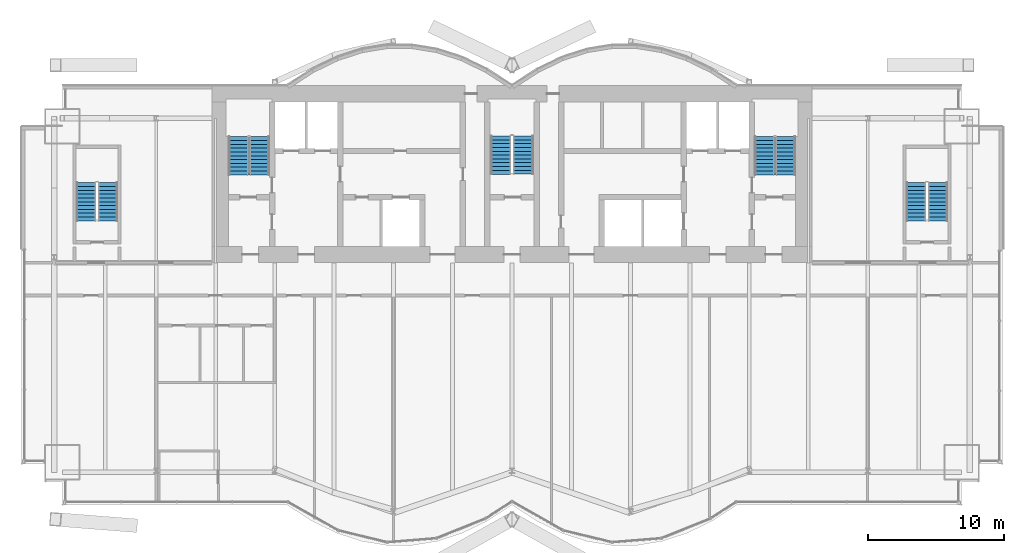
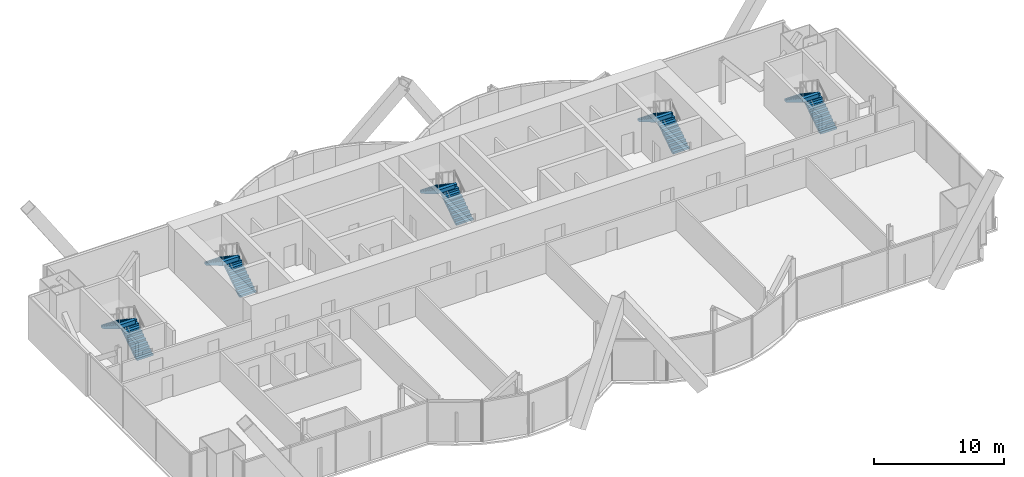
# One storey, part 17 of 20: 10 stair flights, 5 elements without a shape of their own.
"""IFC4 building model written with IfcOpenShell, lengths in metres."""

from ifc_helpers import new_model, si_unit, direction, frame, origin, place, context, subcontext, project, spatial, polyline, outline, extrude, material, type_object, element, aggregate, save


model = new_model("IFC4")

# Units and contexts
model_context = context("Model", 3, precision=1e-05, world=origin(), true_north=direction((0.0, 1.0)))
body_context = subcontext(model_context, "Body", "Model", "MODEL_VIEW")
ifc_project = project(units=[si_unit("LENGTHUNIT", "METRE"), si_unit("AREAUNIT", "SQUARE_METRE"), si_unit("VOLUMEUNIT", "CUBIC_METRE"), si_unit("PLANEANGLEUNIT", "RADIAN"), si_unit("MASSUNIT", "GRAM", prefix="KILO")], contexts=[model_context])

# Site, building, storey
site_placement = place(None, origin())
site = spatial("IfcSite", under=ifc_project, at=site_placement, CompositionType="ELEMENT")
building_placement = place(site_placement, origin())
building = spatial("IfcBuilding", under=site, at=building_placement, Name="Bicima Exchange Tower", CompositionType="ELEMENT")
storey_placement = place(building_placement, frame((0.0, 0.0, 231.89990234375)))
storey = spatial("IfcBuildingStorey", under=building, at=storey_placement, Name="L52", CompositionType="ELEMENT", Elevation=231.89990234375)

# Stair, stair flights
ifc_material = material(Name="Concrete C50/60", Category="concrete")
stair_type_1 = type_object("IfcStairType", Name="Exit stair", PredefinedType="HALF_TURN_STAIR", material=ifc_material)
stair_1_placement = place(storey_placement, origin())
stair_1 = element("IfcStair", 1, at=stair_1_placement, inside=storey, type_object=stair_type_1, Name="L52 West exit stair", PredefinedType="HALF_TURN_STAIR")
stair_flight_type_1 = type_object("IfcStairFlightType", Name="Stair flight RC", PredefinedType="STRAIGHT", material=ifc_material)
stair_flight_1_placement = place(storey_placement, frame((-18.52490234375, -6.550048828125, 0.0), z_axis=(0.0, 0.0, 1.0), x_axis=(0.0, 1.0, 0.0)))
stair_flight_1 = element("IfcStairFlight", 2, at=stair_flight_1_placement, type_object=stair_flight_type_1, Name="ST-W flight 1", NumberOfRisers=11, NumberOfTreads=10, PredefinedType="STRAIGHT", RiserHeight=0.186363636, TreadLength=0.28, context=body_context, shape_type="SweptSolid", body=[
    extrude(outline(polyline([(0.0, 0.0), (0.0, 0.186279296875), (0.280029296875, 0.186279296875), (0.280029296875, 0.372802734375), (0.56005859375, 0.372802734375), (0.56005859375, 0.55908203125), (0.840087890625, 0.55908203125), (0.840087890625, 0.745361328125), (1.1201171875, 0.745361328125), (1.1201171875, 0.931884765625), (1.39990234375, 0.931884765625), (1.39990234375, 1.1181640625), (1.679931640625, 1.1181640625), (1.679931640625, 1.304443359375), (1.9599609375, 1.304443359375), (1.9599609375, 1.490966796875), (2.239990234375, 1.490966796875), (2.239990234375, 1.67724609375), (2.52001953125, 1.67724609375), (2.52001953125, 1.863525390625), (2.800048828125, 1.863525390625), (2.800048828125, 2.050048828125), (2.800048828125, 1.68359375), (0.2705078125, 0.0), (0.0, 0.0)])), frame((0.0, 0.72509765625, 0.0), z_axis=(0.0, -1.0, 0.0), x_axis=(1.0, 0.0, 0.0)), (0.0, 0.0, 1.0), 1.449951171875),
])
stair_flight_2_placement = place(storey_placement, frame((-20.074951171875, -3.75, 2.050048828125), z_axis=(0.0, 0.0, 1.0), x_axis=(0.0, -1.0, 0.0)))
stair_flight_2 = element("IfcStairFlight", 3, at=stair_flight_2_placement, type_object=stair_flight_type_1, Name="ST-W flight 2", NumberOfRisers=11, NumberOfTreads=10, PredefinedType="STRAIGHT", RiserHeight=0.186363636, TreadLength=0.28, context=body_context, shape_type="SweptSolid", body=[
    extrude(outline(polyline([(0.0, 0.0), (0.0, 0.186279296875), (0.280029296875, 0.186279296875), (0.280029296875, 0.372802734375), (0.56005859375, 0.372802734375), (0.56005859375, 0.55908203125), (0.840087890625, 0.55908203125), (0.840087890625, 0.745361328125), (1.1201171875, 0.745361328125), (1.1201171875, 0.931884765625), (1.39990234375, 0.931884765625), (1.39990234375, 1.1181640625), (1.679931640625, 1.1181640625), (1.679931640625, 1.304443359375), (1.9599609375, 1.304443359375), (1.9599609375, 1.490966796875), (2.239990234375, 1.490966796875), (2.239990234375, 1.67724609375), (2.52001953125, 1.67724609375), (2.52001953125, 1.863525390625), (2.800048828125, 1.863525390625), (2.81494140625, 1.863525390625), (2.81494140625, 1.507080078125), (0.2705078125, 0.0), (0.0, 0.0)])), frame((0.0, 0.72509765625, 0.0), z_axis=(0.0, -1.0, 0.0), x_axis=(1.0, 0.0, 0.0)), (0.0, 0.0, 1.0), 1.449951171875),
])
aggregate(stair_1, [stair_flight_1, stair_flight_2])

stair_2_placement = place(storey_placement, origin())
stair_2 = element("IfcStair", 4, at=stair_2_placement, inside=storey, type_object=stair_type_1, Name="L52 East exit stair", PredefinedType="HALF_TURN_STAIR")
stair_flight_3_placement = place(storey_placement, frame((20.074951171875, -6.550048828125, 0.0), z_axis=(0.0, 0.0, 1.0), x_axis=(0.0, 1.0, 0.0)))
stair_flight_3 = element("IfcStairFlight", 5, at=stair_flight_3_placement, type_object=stair_flight_type_1, Name="ST-E flight 1", NumberOfRisers=11, NumberOfTreads=10, PredefinedType="STRAIGHT", RiserHeight=0.186363636, TreadLength=0.28, context=body_context, shape_type="SweptSolid", body=[
    extrude(outline(polyline([(0.0, 0.0), (0.0, 0.186279296875), (0.280029296875, 0.186279296875), (0.280029296875, 0.372802734375), (0.56005859375, 0.372802734375), (0.56005859375, 0.55908203125), (0.840087890625, 0.55908203125), (0.840087890625, 0.745361328125), (1.1201171875, 0.745361328125), (1.1201171875, 0.931884765625), (1.39990234375, 0.931884765625), (1.39990234375, 1.1181640625), (1.679931640625, 1.1181640625), (1.679931640625, 1.304443359375), (1.9599609375, 1.304443359375), (1.9599609375, 1.490966796875), (2.239990234375, 1.490966796875), (2.239990234375, 1.67724609375), (2.52001953125, 1.67724609375), (2.52001953125, 1.863525390625), (2.800048828125, 1.863525390625), (2.800048828125, 2.050048828125), (2.800048828125, 1.68359375), (0.2705078125, 0.0), (0.0, 0.0)])), frame((0.0, 0.72509765625, 0.0), z_axis=(0.0, -1.0, 0.0), x_axis=(1.0, 0.0, 0.0)), (0.0, 0.0, 1.0), 1.449951171875),
])
stair_flight_4_placement = place(storey_placement, frame((18.52490234375, -3.75, 2.050048828125), z_axis=(0.0, 0.0, 1.0), x_axis=(0.0, -1.0, 0.0)))
stair_flight_4 = element("IfcStairFlight", 6, at=stair_flight_4_placement, type_object=stair_flight_type_1, Name="ST-E flight 2", NumberOfRisers=11, NumberOfTreads=10, PredefinedType="STRAIGHT", RiserHeight=0.186363636, TreadLength=0.28, context=body_context, shape_type="SweptSolid", body=[
    extrude(outline(polyline([(0.0, 0.0), (0.0, 0.186279296875), (0.280029296875, 0.186279296875), (0.280029296875, 0.372802734375), (0.56005859375, 0.372802734375), (0.56005859375, 0.55908203125), (0.840087890625, 0.55908203125), (0.840087890625, 0.745361328125), (1.1201171875, 0.745361328125), (1.1201171875, 0.931884765625), (1.39990234375, 0.931884765625), (1.39990234375, 1.1181640625), (1.679931640625, 1.1181640625), (1.679931640625, 1.304443359375), (1.9599609375, 1.304443359375), (1.9599609375, 1.490966796875), (2.239990234375, 1.490966796875), (2.239990234375, 1.67724609375), (2.52001953125, 1.67724609375), (2.52001953125, 1.863525390625), (2.800048828125, 1.863525390625), (2.81494140625, 1.863525390625), (2.81494140625, 1.507080078125), (0.2705078125, 0.0), (0.0, 0.0)])), frame((0.0, 0.72509765625, 0.0), z_axis=(0.0, -1.0, 0.0), x_axis=(1.0, 0.0, 0.0)), (0.0, 0.0, 1.0), 1.449951171875),
])
aggregate(stair_2, [stair_flight_3, stair_flight_4])

stair_3_placement = place(storey_placement, origin())
stair_3 = element("IfcStair", 7, at=stair_3_placement, inside=storey, type_object=stair_type_1, Name="L52 West end exit stair", PredefinedType="HALF_TURN_STAIR")
stair_flight_5_placement = place(storey_placement, frame((-29.64990234375, -9.925048828125, 0.0), z_axis=(0.0, 0.0, 1.0), x_axis=(0.0, 1.0, 0.0)))
stair_flight_5 = element("IfcStairFlight", 8, at=stair_flight_5_placement, type_object=stair_flight_type_1, Name="ST-WW flight 1", NumberOfRisers=11, NumberOfTreads=10, PredefinedType="STRAIGHT", RiserHeight=0.186363636, TreadLength=0.28, context=body_context, shape_type="SweptSolid", body=[
    extrude(outline(polyline([(0.0, 0.0), (0.0, 0.186279296875), (0.280029296875, 0.186279296875), (0.280029296875, 0.372802734375), (0.56005859375, 0.372802734375), (0.56005859375, 0.55908203125), (0.840087890625, 0.55908203125), (0.840087890625, 0.745361328125), (1.1201171875, 0.745361328125), (1.1201171875, 0.931884765625), (1.39990234375, 0.931884765625), (1.39990234375, 1.1181640625), (1.679931640625, 1.1181640625), (1.679931640625, 1.304443359375), (1.9599609375, 1.304443359375), (1.9599609375, 1.490966796875), (2.239990234375, 1.490966796875), (2.239990234375, 1.67724609375), (2.52001953125, 1.67724609375), (2.52001953125, 1.863525390625), (2.800048828125, 1.863525390625), (2.800048828125, 2.050048828125), (2.800048828125, 1.68359375), (0.2705078125, 0.0), (0.0, 0.0)])), frame((0.0, 0.72509765625, 0.0), z_axis=(0.0, -1.0, 0.0), x_axis=(1.0, 0.0, 0.0)), (0.0, 0.0, 1.0), 1.449951171875),
])
stair_flight_6_placement = place(storey_placement, frame((-31.25, -7.125, 2.050048828125), z_axis=(0.0, 0.0, 1.0), x_axis=(0.0, -1.0, 0.0)))
stair_flight_6 = element("IfcStairFlight", 9, at=stair_flight_6_placement, type_object=stair_flight_type_1, Name="ST-WW flight 2", NumberOfRisers=11, NumberOfTreads=10, PredefinedType="STRAIGHT", RiserHeight=0.186363636, TreadLength=0.28, context=body_context, shape_type="SweptSolid", body=[
    extrude(outline(polyline([(0.0, 0.0), (0.0, 0.186279296875), (0.280029296875, 0.186279296875), (0.280029296875, 0.372802734375), (0.56005859375, 0.372802734375), (0.56005859375, 0.55908203125), (0.840087890625, 0.55908203125), (0.840087890625, 0.745361328125), (1.1201171875, 0.745361328125), (1.1201171875, 0.931884765625), (1.39990234375, 0.931884765625), (1.39990234375, 1.1181640625), (1.679931640625, 1.1181640625), (1.679931640625, 1.304443359375), (1.9599609375, 1.304443359375), (1.9599609375, 1.490966796875), (2.239990234375, 1.490966796875), (2.239990234375, 1.67724609375), (2.52001953125, 1.67724609375), (2.52001953125, 1.863525390625), (2.800048828125, 1.863525390625), (2.81494140625, 1.863525390625), (2.81494140625, 1.507080078125), (0.2705078125, 0.0), (0.0, 0.0)])), frame((0.0, 0.72509765625, 0.0), z_axis=(0.0, -1.0, 0.0), x_axis=(1.0, 0.0, 0.0)), (0.0, 0.0, 1.0), 1.449951171875),
])
aggregate(stair_3, [stair_flight_5, stair_flight_6])

stair_4_placement = place(storey_placement, origin())
stair_4 = element("IfcStair", 10, at=stair_4_placement, inside=storey, type_object=stair_type_1, Name="L52 East end exit stair", PredefinedType="HALF_TURN_STAIR")
stair_flight_7_placement = place(storey_placement, frame((31.25, -9.925048828125, 0.0), z_axis=(0.0, 0.0, 1.0), x_axis=(0.0, 1.0, 0.0)))
stair_flight_7 = element("IfcStairFlight", 11, at=stair_flight_7_placement, type_object=stair_flight_type_1, Name="ST-EE flight 1", NumberOfRisers=11, NumberOfTreads=10, PredefinedType="STRAIGHT", RiserHeight=0.186363636, TreadLength=0.28, context=body_context, shape_type="SweptSolid", body=[
    extrude(outline(polyline([(0.0, 0.0), (0.0, 0.186279296875), (0.280029296875, 0.186279296875), (0.280029296875, 0.372802734375), (0.56005859375, 0.372802734375), (0.56005859375, 0.55908203125), (0.840087890625, 0.55908203125), (0.840087890625, 0.745361328125), (1.1201171875, 0.745361328125), (1.1201171875, 0.931884765625), (1.39990234375, 0.931884765625), (1.39990234375, 1.1181640625), (1.679931640625, 1.1181640625), (1.679931640625, 1.304443359375), (1.9599609375, 1.304443359375), (1.9599609375, 1.490966796875), (2.239990234375, 1.490966796875), (2.239990234375, 1.67724609375), (2.52001953125, 1.67724609375), (2.52001953125, 1.863525390625), (2.800048828125, 1.863525390625), (2.800048828125, 2.050048828125), (2.800048828125, 1.68359375), (0.2705078125, 0.0), (0.0, 0.0)])), frame((0.0, 0.72509765625, 0.0), z_axis=(0.0, -1.0, 0.0), x_axis=(1.0, 0.0, 0.0)), (0.0, 0.0, 1.0), 1.449951171875),
])
stair_flight_8_placement = place(storey_placement, frame((29.64990234375, -7.125, 2.050048828125), z_axis=(0.0, 0.0, 1.0), x_axis=(0.0, -1.0, 0.0)))
stair_flight_8 = element("IfcStairFlight", 12, at=stair_flight_8_placement, type_object=stair_flight_type_1, Name="ST-EE flight 2", NumberOfRisers=11, NumberOfTreads=10, PredefinedType="STRAIGHT", RiserHeight=0.186363636, TreadLength=0.28, context=body_context, shape_type="SweptSolid", body=[
    extrude(outline(polyline([(0.0, 0.0), (0.0, 0.186279296875), (0.280029296875, 0.186279296875), (0.280029296875, 0.372802734375), (0.56005859375, 0.372802734375), (0.56005859375, 0.55908203125), (0.840087890625, 0.55908203125), (0.840087890625, 0.745361328125), (1.1201171875, 0.745361328125), (1.1201171875, 0.931884765625), (1.39990234375, 0.931884765625), (1.39990234375, 1.1181640625), (1.679931640625, 1.1181640625), (1.679931640625, 1.304443359375), (1.9599609375, 1.304443359375), (1.9599609375, 1.490966796875), (2.239990234375, 1.490966796875), (2.239990234375, 1.67724609375), (2.52001953125, 1.67724609375), (2.52001953125, 1.863525390625), (2.800048828125, 1.863525390625), (2.81494140625, 1.863525390625), (2.81494140625, 1.507080078125), (0.2705078125, 0.0), (0.0, 0.0)])), frame((0.0, 0.72509765625, 0.0), z_axis=(0.0, -1.0, 0.0), x_axis=(1.0, 0.0, 0.0)), (0.0, 0.0, 1.0), 1.449951171875),
])
aggregate(stair_4, [stair_flight_7, stair_flight_8])

stair_type_2 = type_object("IfcStairType", Name="Exit stair 1500", PredefinedType="HALF_TURN_STAIR", material=ifc_material)
stair_5_placement = place(storey_placement, origin())
stair_5 = element("IfcStair", 13, at=stair_5_placement, inside=storey, type_object=stair_type_2, Name="L52 Central exit stair", PredefinedType="HALF_TURN_STAIR")
stair_flight_type_2 = type_object("IfcStairFlightType", Name="Stair flight RC 1500", PredefinedType="STRAIGHT", material=ifc_material)
stair_flight_9_placement = place(storey_placement, frame((0.824951171875, -6.5, 0.0), z_axis=(0.0, 0.0, 1.0), x_axis=(0.0, 1.0, 0.0)))
stair_flight_9 = element("IfcStairFlight", 14, at=stair_flight_9_placement, type_object=stair_flight_type_2, Name="ST-C flight 1", NumberOfRisers=11, NumberOfTreads=10, PredefinedType="STRAIGHT", RiserHeight=0.186363636, TreadLength=0.28, context=body_context, shape_type="SweptSolid", body=[
    extrude(outline(polyline([(0.0, 0.0), (0.0, 0.186279296875), (0.280029296875, 0.186279296875), (0.280029296875, 0.372802734375), (0.56005859375, 0.372802734375), (0.56005859375, 0.55908203125), (0.840087890625, 0.55908203125), (0.840087890625, 0.745361328125), (1.1201171875, 0.745361328125), (1.1201171875, 0.931884765625), (1.39990234375, 0.931884765625), (1.39990234375, 1.1181640625), (1.679931640625, 1.1181640625), (1.679931640625, 1.304443359375), (1.9599609375, 1.304443359375), (1.9599609375, 1.490966796875), (2.239990234375, 1.490966796875), (2.239990234375, 1.67724609375), (2.52001953125, 1.67724609375), (2.52001953125, 1.863525390625), (2.800048828125, 1.863525390625), (2.800048828125, 2.050048828125), (2.800048828125, 1.68359375), (0.2705078125, 0.0), (0.0, 0.0)])), frame((0.0, 0.75, 0.0), z_axis=(0.0, -1.0, 0.0), x_axis=(1.0, 0.0, 0.0)), (0.0, 0.0, 1.0), 1.5),
])
stair_flight_10_placement = place(storey_placement, frame((-0.824951171875, -3.699951171875, 2.050048828125), z_axis=(0.0, 0.0, 1.0), x_axis=(0.0, -1.0, 0.0)))
stair_flight_10 = element("IfcStairFlight", 15, at=stair_flight_10_placement, type_object=stair_flight_type_2, Name="ST-C flight 2", NumberOfRisers=11, NumberOfTreads=10, PredefinedType="STRAIGHT", RiserHeight=0.186363636, TreadLength=0.28, context=body_context, shape_type="SweptSolid", body=[
    extrude(outline(polyline([(0.0, 0.0), (0.0, 0.186279296875), (0.280029296875, 0.186279296875), (0.280029296875, 0.372802734375), (0.56005859375, 0.372802734375), (0.56005859375, 0.55908203125), (0.840087890625, 0.55908203125), (0.840087890625, 0.745361328125), (1.1201171875, 0.745361328125), (1.1201171875, 0.931884765625), (1.39990234375, 0.931884765625), (1.39990234375, 1.1181640625), (1.679931640625, 1.1181640625), (1.679931640625, 1.304443359375), (1.9599609375, 1.304443359375), (1.9599609375, 1.490966796875), (2.239990234375, 1.490966796875), (2.239990234375, 1.67724609375), (2.52001953125, 1.67724609375), (2.52001953125, 1.863525390625), (2.800048828125, 1.863525390625), (2.81494140625, 1.863525390625), (2.81494140625, 1.507080078125), (0.2705078125, 0.0), (0.0, 0.0)])), frame((0.0, 0.75, 0.0), z_axis=(0.0, -1.0, 0.0), x_axis=(1.0, 0.0, 0.0)), (0.0, 0.0, 1.0), 1.5),
])
aggregate(stair_5, [stair_flight_9, stair_flight_10])

save(model, "model.ifc")
